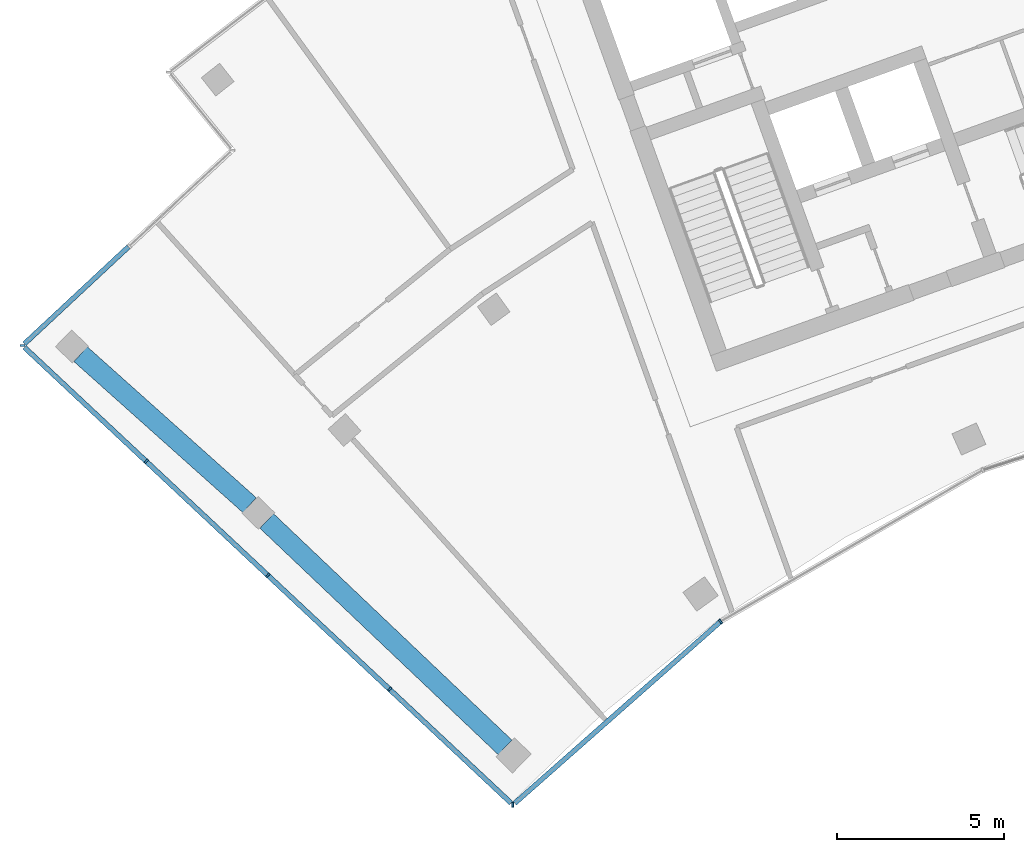
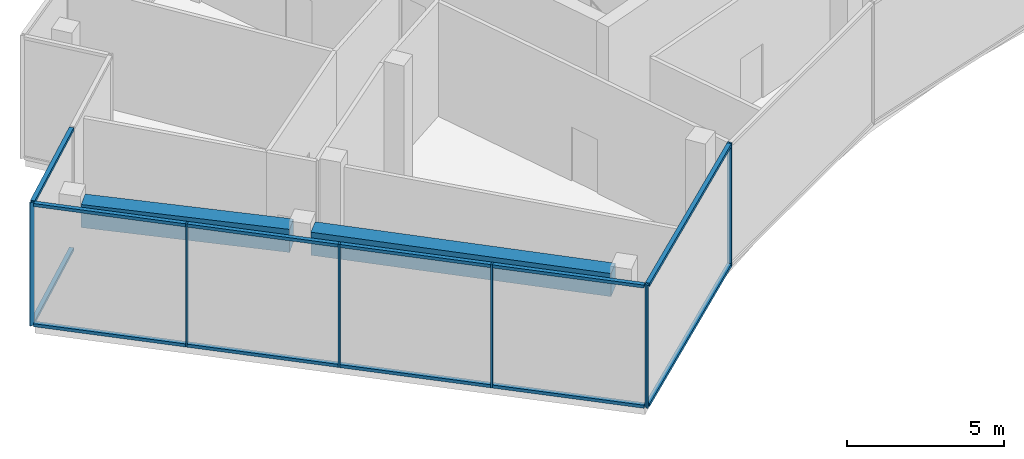
# One storey, part 2 of 17: 18 members, 2 beams, 3 elements without a shape of their own.
"""IFC4 building model written with IfcOpenShell, lengths in metres."""

from ifc_helpers import new_model, si_unit, direction, frame, origin, origin_2d, place, context, subcontext, project, spatial, rectangle, extrude, material, layer, layer_set, material_profile, profile_set, type_object, element, aggregate, save


model = new_model("IFC4")

# Units and contexts
model_context = context("Model", 3, precision=1e-05, world=origin(), true_north=direction((0.0, 1.0)))
body_context = subcontext(model_context, "Body", "Model", "MODEL_VIEW")
ifc_project = project(units=[si_unit("LENGTHUNIT", "METRE"), si_unit("AREAUNIT", "SQUARE_METRE"), si_unit("VOLUMEUNIT", "CUBIC_METRE"), si_unit("PLANEANGLEUNIT", "RADIAN"), si_unit("MASSUNIT", "GRAM", prefix="KILO")], contexts=[model_context])

# Site, building, storey
site_placement = place(None, origin())
site = spatial("IfcSite", under=ifc_project, at=site_placement, CompositionType="ELEMENT")
building_placement = place(site_placement, origin())
building = spatial("IfcBuilding", under=site, at=building_placement, Name="Stone Belt Terrace Tower", CompositionType="ELEMENT")
storey_placement = place(building_placement, frame((0.0, 0.0, 313.39990234375)))
storey = spatial("IfcBuildingStorey", under=building, at=storey_placement, Name="L76", CompositionType="ELEMENT", Elevation=313.39990234375)

# Curtain wall, members
ifc_material_1 = material(Name="Aluminium 6063-T6 anodised frame", Category="aluminium")
ifc_layer = layer(ifc_material_1, 0.14990234375)
ifc_layer_set = layer_set([ifc_layer], Name="CW-C stick curtain wall, horn ends and notches")
curtain_wall_type = type_object("IfcCurtainWallType", Name="CW-C stick curtain wall, horn ends and notches", PredefinedType="NOTDEFINED", material=ifc_layer_set)
curtain_wall_1_placement = place(storey_placement, origin())
curtain_wall_1 = element("IfcCurtainWall", 1, at=curtain_wall_1_placement, inside=storey, type_object=curtain_wall_type, Name="CW-C concave face L76", PredefinedType="NOTDEFINED")
ifc_material_profile_1 = material_profile(ifc_material_1, rectangle(XDim=0.14990234375, YDim=0.06005859375, at=origin_2d()), Name="Aluminium 6063-T6 60x150")
ifc_profile_set_1 = profile_set([ifc_material_profile_1], Name="Aluminium 6063-T6 anodised frame")
member_type_1 = type_object("IfcMemberType", Name="CW-C mullion 60 x 150", PredefinedType="MULLION", material=ifc_profile_set_1)
member_1_placement = place(storey_placement, frame((-31.75244140625, 29.633056640625, 0.0), z_axis=(0.0, 0.0, 1.0), x_axis=(0.014681639593, 0.999892218921, 0.0)))
member_1 = element("IfcMember", 2, at=member_1_placement, type_object=member_type_1, Name="CW-C mullion 1", PredefinedType="MULLION", context=body_context, shape_type="SweptSolid", body=[
    extrude(rectangle(XDim=0.14990234375, YDim=0.06005859375, at=origin_2d()), origin(), (0.0, 0.0, 1.0), 4.800048828125),
])
member_2_placement = place(storey_placement, frame((-25.524658203125, 35.131103515625, 0.0), z_axis=(0.0, 0.0, 1.0), x_axis=(-0.583818854632, 0.811883947973, 0.0)))
member_2 = element("IfcMember", 3, at=member_2_placement, type_object=member_type_1, Name="CW-C mullion 2", PredefinedType="MULLION", context=body_context, shape_type="SweptSolid", body=[
    extrude(rectangle(XDim=0.14990234375, YDim=0.06005859375, at=origin_2d()), origin(), (0.0, 0.0, 1.0), 4.800048828125),
])

curtain_wall_2_placement = place(storey_placement, origin())
curtain_wall_2 = element("IfcCurtainWall", 4, at=curtain_wall_2_placement, inside=storey, type_object=curtain_wall_type, Name="CW-C end face L76", PredefinedType="NOTDEFINED")
member_3_placement = place(storey_placement, frame((-46.458740234375, 43.405517578125, 0.0), z_axis=(0.0, 0.0, 1.0), x_axis=(0.999999447771, -0.00105093149, 0.0)))
member_3 = element("IfcMember", 5, at=member_3_placement, type_object=member_type_1, Name="CW-C mullion 1", PredefinedType="MULLION", context=body_context, shape_type="SweptSolid", body=[
    extrude(rectangle(XDim=0.14990234375, YDim=0.06005859375, at=origin_2d()), origin(), (0.0, 0.0, 1.0), 4.800048828125),
])
member_4_placement = place(storey_placement, frame((-42.750732421875, 39.932861328125, 0.0), z_axis=(0.0, 0.0, 1.0), x_axis=(0.683549434973, 0.729904219708, 0.0)))
member_4 = element("IfcMember", 6, at=member_4_placement, type_object=member_type_1, Name="CW-C mullion 2", PredefinedType="MULLION", context=body_context, shape_type="SweptSolid", body=[
    extrude(rectangle(XDim=0.14990234375, YDim=0.06005859375, at=origin_2d()), origin(), (0.0, 0.0, 1.0), 4.800048828125),
])
member_5_placement = place(storey_placement, frame((-39.10107421875, 36.51513671875, 0.0), z_axis=(0.0, 0.0, 1.0), x_axis=(0.683549434973, 0.729904219708, 0.0)))
member_5 = element("IfcMember", 7, at=member_5_placement, type_object=member_type_1, Name="CW-C mullion 3", PredefinedType="MULLION", context=body_context, shape_type="SweptSolid", body=[
    extrude(rectangle(XDim=0.14990234375, YDim=0.06005859375, at=origin_2d()), origin(), (0.0, 0.0, 1.0), 4.800048828125),
])
member_6_placement = place(storey_placement, frame((-35.45166015625, 33.097412109375, 0.0), z_axis=(0.0, 0.0, 1.0), x_axis=(0.683549434973, 0.729904219708, 0.0)))
member_6 = element("IfcMember", 8, at=member_6_placement, type_object=member_type_1, Name="CW-C mullion 4", PredefinedType="MULLION", context=body_context, shape_type="SweptSolid", body=[
    extrude(rectangle(XDim=0.14990234375, YDim=0.06005859375, at=origin_2d()), origin(), (0.0, 0.0, 1.0), 4.800048828125),
])

# Member
ifc_material_profile_2 = material_profile(ifc_material_1, rectangle(XDim=0.14990234375, YDim=0.1201171875, at=origin_2d()), Name="Aluminium 6063-T6 150x120")
ifc_profile_set_2 = profile_set([ifc_material_profile_2], Name="Aluminium 6063-T6 anodised frame")
member_type_2 = type_object("IfcMemberType", Name="CW-C transom 120 x 150", PredefinedType="USERDEFINED", material=ifc_profile_set_2)
member_7_placement = place(storey_placement, frame((-31.69775390625, 29.68115234375, 0.06005859375), z_axis=(0.749643131168, 0.661842259071, 0.0), x_axis=(-0.661842259071, 0.749643131168, 0.0)))
member_7 = element("IfcMember", 9, at=member_7_placement, type_object=member_type_2, Name="CW-C transom 1.1", ObjectType="TRANSOM", PredefinedType="USERDEFINED", context=body_context, shape_type="SweptSolid", body=[
    extrude(rectangle(XDim=0.14990234375, YDim=0.1201171875, at=origin_2d()), origin(), (0.0, 0.0, 1.0), 8.197265625),
])

member_8_placement = place(storey_placement, frame((-31.69775390625, 29.68115234375, 4.739990234375), z_axis=(0.749643131168, 0.661842259071, 0.0), x_axis=(-0.661842259071, 0.749643131168, 0.0)))
member_8 = element("IfcMember", 10, at=member_8_placement, type_object=member_type_2, Name="CW-C transom 1.2", ObjectType="TRANSOM", PredefinedType="USERDEFINED", context=body_context, shape_type="SweptSolid", body=[
    extrude(rectangle(XDim=0.14990234375, YDim=0.1201171875, at=origin_2d()), origin(), (0.0, 0.0, 1.0), 8.197265625),
])

aggregate(curtain_wall_1, [member_1, member_2, member_7, member_8])

# Curtain wall, members
curtain_wall_3_placement = place(storey_placement, origin())
curtain_wall_3 = element("IfcCurtainWall", 11, at=curtain_wall_3_placement, inside=storey, type_object=curtain_wall_type, Name="CW-C notch face L76", PredefinedType="NOTDEFINED")
member_9_placement = place(storey_placement, frame((-43.28173828125, 46.3681640625, 0.06005859375), z_axis=(-0.731353784958, -0.681998270693, 0.0), x_axis=(0.681998270693, -0.731353784958, 0.0)))
member_9 = element("IfcMember", 12, at=member_9_placement, type_object=member_type_2, Name="CW-C transom 2.1", ObjectType="TRANSOM", PredefinedType="USERDEFINED", context=body_context, shape_type="SweptSolid", body=[
    extrude(rectangle(XDim=0.14990234375, YDim=0.1201171875, at=origin_2d()), origin(), (0.0, 0.0, 1.0), 4.268798828125),
])
member_10_placement = place(storey_placement, frame((-43.28173828125, 46.3681640625, 4.739990234375), z_axis=(-0.731353784958, -0.681998270693, 0.0), x_axis=(0.681998270693, -0.731353784958, 0.0)))
member_10 = element("IfcMember", 13, at=member_10_placement, type_object=member_type_2, Name="CW-C transom 2.2", ObjectType="TRANSOM", PredefinedType="USERDEFINED", context=body_context, shape_type="SweptSolid", body=[
    extrude(rectangle(XDim=0.14990234375, YDim=0.1201171875, at=origin_2d()), origin(), (0.0, 0.0, 1.0), 4.268798828125),
])
aggregate(curtain_wall_3, [member_9, member_10])

# Member
member_11_placement = place(storey_placement, frame((-46.40380859375, 43.35400390625, 0.06005859375), z_axis=(0.729913558916, -0.683539462292, 0.0), x_axis=(0.683539462292, 0.729913558916, 0.0)))
member_11 = element("IfcMember", 14, at=member_11_placement, type_object=member_type_2, Name="CW-C transom 1.1", ObjectType="TRANSOM", PredefinedType="USERDEFINED", context=body_context, shape_type="SweptSolid", body=[
    extrude(rectangle(XDim=0.14990234375, YDim=0.1201171875, at=origin_2d()), origin(), (0.0, 0.0, 1.0), 4.97509765625),
])

member_12_placement = place(storey_placement, frame((-46.40380859375, 43.35400390625, 4.739990234375), z_axis=(0.729913558916, -0.683539462292, 0.0), x_axis=(0.683539462292, 0.729913558916, 0.0)))
member_12 = element("IfcMember", 15, at=member_12_placement, type_object=member_type_2, Name="CW-C transom 1.2", ObjectType="TRANSOM", PredefinedType="USERDEFINED", context=body_context, shape_type="SweptSolid", body=[
    extrude(rectangle(XDim=0.14990234375, YDim=0.1201171875, at=origin_2d()), origin(), (0.0, 0.0, 1.0), 4.97509765625),
])

member_13_placement = place(storey_placement, frame((-42.728759765625, 39.912353515625, 0.06005859375), z_axis=(0.729905447424, -0.683548123998, 0.0), x_axis=(0.683548123998, 0.729905447424, 0.0)))
member_13 = element("IfcMember", 16, at=member_13_placement, type_object=member_type_2, Name="CW-C transom 2.1", ObjectType="TRANSOM", PredefinedType="USERDEFINED", context=body_context, shape_type="SweptSolid", body=[
    extrude(rectangle(XDim=0.14990234375, YDim=0.1201171875, at=origin_2d()), origin(), (0.0, 0.0, 1.0), 4.93994140625),
])

member_14_placement = place(storey_placement, frame((-42.728759765625, 39.912353515625, 4.739990234375), z_axis=(0.729905447424, -0.683548123998, 0.0), x_axis=(0.683548123998, 0.729905447424, 0.0)))
member_14 = element("IfcMember", 17, at=member_14_placement, type_object=member_type_2, Name="CW-C transom 2.2", ObjectType="TRANSOM", PredefinedType="USERDEFINED", context=body_context, shape_type="SweptSolid", body=[
    extrude(rectangle(XDim=0.14990234375, YDim=0.1201171875, at=origin_2d()), origin(), (0.0, 0.0, 1.0), 4.93994140625),
])

member_15_placement = place(storey_placement, frame((-39.079345703125, 36.49462890625, 0.06005859375), z_axis=(0.729905447424, -0.683548123998, 0.0), x_axis=(0.683548123998, 0.729905447424, 0.0)))
member_15 = element("IfcMember", 18, at=member_15_placement, type_object=member_type_2, Name="CW-C transom 3.1", ObjectType="TRANSOM", PredefinedType="USERDEFINED", context=body_context, shape_type="SweptSolid", body=[
    extrude(rectangle(XDim=0.14990234375, YDim=0.1201171875, at=origin_2d()), origin(), (0.0, 0.0, 1.0), 4.93994140625),
])

member_16_placement = place(storey_placement, frame((-39.079345703125, 36.49462890625, 4.739990234375), z_axis=(0.729905447424, -0.683548123998, 0.0), x_axis=(0.683548123998, 0.729905447424, 0.0)))
member_16 = element("IfcMember", 19, at=member_16_placement, type_object=member_type_2, Name="CW-C transom 3.2", ObjectType="TRANSOM", PredefinedType="USERDEFINED", context=body_context, shape_type="SweptSolid", body=[
    extrude(rectangle(XDim=0.14990234375, YDim=0.1201171875, at=origin_2d()), origin(), (0.0, 0.0, 1.0), 4.93994140625),
])

member_17_placement = place(storey_placement, frame((-35.4296875, 33.076904296875, 0.06005859375), z_axis=(0.72988516347, -0.683569782938, 0.0), x_axis=(0.683569782938, 0.72988516347, 0.0)))
member_17 = element("IfcMember", 20, at=member_17_placement, type_object=member_type_2, Name="CW-C transom 4.1", ObjectType="TRANSOM", PredefinedType="USERDEFINED", context=body_context, shape_type="SweptSolid", body=[
    extrude(rectangle(XDim=0.14990234375, YDim=0.1201171875, at=origin_2d()), origin(), (0.0, 0.0, 1.0), 4.965576171875),
])

member_18_placement = place(storey_placement, frame((-35.4296875, 33.076904296875, 4.739990234375), z_axis=(0.72988516347, -0.683569782938, 0.0), x_axis=(0.683569782938, 0.72988516347, 0.0)))
member_18 = element("IfcMember", 21, at=member_18_placement, type_object=member_type_2, Name="CW-C transom 4.2", ObjectType="TRANSOM", PredefinedType="USERDEFINED", context=body_context, shape_type="SweptSolid", body=[
    extrude(rectangle(XDim=0.14990234375, YDim=0.1201171875, at=origin_2d()), origin(), (0.0, 0.0, 1.0), 4.965576171875),
])

aggregate(curtain_wall_2, [member_3, member_4, member_5, member_6, member_11, member_12, member_13, member_14, member_15, member_16, member_17, member_18])

# Beams
ifc_material_2 = material(Name="Concrete B60", Category="concrete")
ifc_material_profile_3 = material_profile(ifc_material_2, rectangle(XDim=0.60009765625, YDim=0.89990234375, at=origin_2d()), Name="RC 600x900")
ifc_profile_set_3 = profile_set([ifc_material_profile_3], Name="Concrete B60")
beam_type = type_object("IfcBeamType", Name="Edge beam RC 600x900 B60", PredefinedType="SPANDREL", material=ifc_profile_set_3)
beam_1_placement = place(storey_placement, frame((-31.98876953125, 31.35791015625, 4.0), z_axis=(-0.725018605512, 0.688729280387, 0.0), x_axis=(-0.688729280387, -0.725018605512, 0.0)))
element("IfcBeam", 22, at=beam_1_placement, inside=storey, type_object=beam_type, Name="Edge beam L76 A P to Q", PredefinedType="SPANDREL", context=body_context, shape_type="SweptSolid", body=[
    extrude(rectangle(XDim=0.60009765625, YDim=0.89990234375, at=origin_2d()), origin(), (0.0, 0.0, 1.0), 9.85595703125),
])
beam_2_placement = place(storey_placement, frame((-39.649658203125, 38.620361328125, 4.0), z_axis=(-0.745646224154, 0.666342035598, 0.0), x_axis=(-0.666342035598, -0.745646224154, 0.0)))
element("IfcBeam", 23, at=beam_2_placement, inside=storey, type_object=beam_type, Name="Edge beam L76 A Q to R", PredefinedType="SPANDREL", context=body_context, shape_type="SweptSolid", body=[
    extrude(rectangle(XDim=0.60009765625, YDim=0.89990234375, at=origin_2d()), origin(), (0.0, 0.0, 1.0), 6.79443359375),
])

save(model, "model.ifc")
